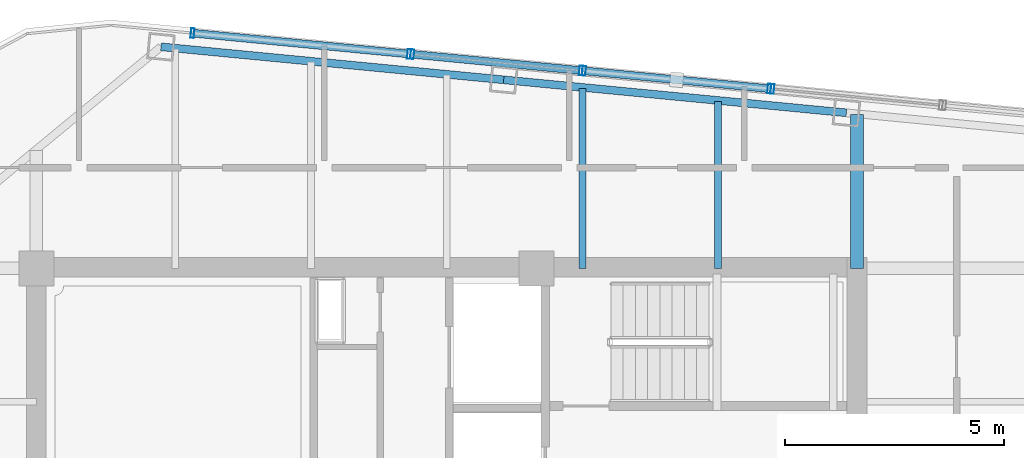
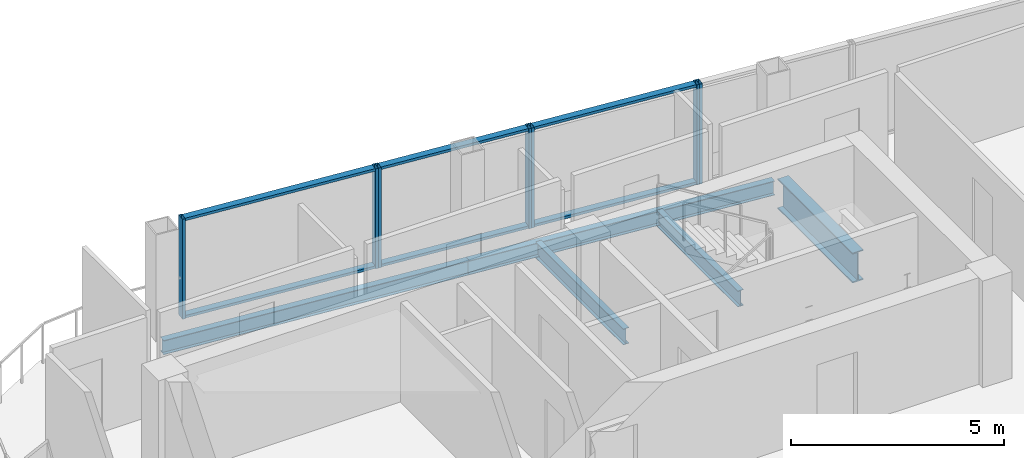
# One storey, part 14 of 22: 13 members, 5 beams, 4 elements without a shape of their own.
"""IFC4 building model written with IfcOpenShell, lengths in metres."""

from ifc_helpers import new_model, si_unit, direction, frame, origin, origin_2d, place, context, subcontext, project, spatial, hollow_rectangle, i_section, extrude, material, layer, layer_set, material_profile, profile_set, type_object, element, aggregate, save


model = new_model("IFC4")

# Units and contexts
model_context = context("Model", 3, precision=1e-05, world=origin(), true_north=direction((0.0, 1.0)))
body_context = subcontext(model_context, "Body", "Model", "MODEL_VIEW")
ifc_project = project(units=[si_unit("LENGTHUNIT", "METRE"), si_unit("AREAUNIT", "SQUARE_METRE"), si_unit("VOLUMEUNIT", "CUBIC_METRE"), si_unit("PLANEANGLEUNIT", "RADIAN"), si_unit("MASSUNIT", "GRAM", prefix="KILO")], contexts=[model_context])

# Site, building, storey
site_placement = place(None, origin())
site = spatial("IfcSite", under=ifc_project, at=site_placement, CompositionType="ELEMENT")
building_placement = place(site_placement, origin())
building = spatial("IfcBuilding", under=site, at=building_placement, Name="Qhalaya Broadcast Tower", CompositionType="ELEMENT")
storey_placement = place(building_placement, frame((0.0, 0.0, 252.0)))
storey = spatial("IfcBuildingStorey", under=building, at=storey_placement, Name="L74", CompositionType="ELEMENT", Elevation=252.0)

# Beams
ifc_material_1 = material(Name="Structural Steel ASTM A992 Grade 50", Category="steel")
ifc_material_profile_1 = material_profile(ifc_material_1, i_section(OverallWidth=0.154052734375, OverallDepth=0.458984375, WebThickness=0.009033203125, FlangeThickness=0.015380859375, at=origin_2d()), Name="W18X46")
ifc_profile_set_1 = profile_set([ifc_material_profile_1], Name="Structural Steel ASTM A992 Grade 50")
beam_type_1 = type_object("IfcBeamType", Name="Composite Floor Joist J04", PredefinedType="JOIST", material=ifc_profile_set_1)
beam_1_placement = place(storey_placement, frame((3.10009765625, 9.949951171875, -0.41943359375), z_axis=(0.0, 1.0, 0.0), x_axis=(-1.0, 0.0, 0.0)))
element("IfcBeam", 1, at=beam_1_placement, inside=storey, type_object=beam_type_1, Name="L74 J04 L74-JNN4-1", PredefinedType="JOIST", context=body_context, shape_type="SweptSolid", body=[
    extrude(i_section(OverallWidth=0.154052734375, OverallDepth=0.458984375, WebThickness=0.009033203125, FlangeThickness=0.015380859375, at=origin_2d()), origin(), (0.0, 0.0, 1.0), 4.11328125),
])
beam_2_placement = place(storey_placement, frame((6.199951171875, 9.949951171875, -0.41943359375), z_axis=(0.0, 1.0, 0.0), x_axis=(-1.0, 0.0, 0.0)))
element("IfcBeam", 2, at=beam_2_placement, inside=storey, type_object=beam_type_1, Name="L74 J04 L74-JNN5-1", PredefinedType="JOIST", context=body_context, shape_type="SweptSolid", body=[
    extrude(i_section(OverallWidth=0.154052734375, OverallDepth=0.458984375, WebThickness=0.009033203125, FlangeThickness=0.015380859375, at=origin_2d()), origin(), (0.0, 0.0, 1.0), 3.814697265625),
])

# Curtain wall, member
ifc_material_2 = material(Name="Solar-Control Low-E Triple Glazing", Category="glass")
ifc_layer_1 = layer(ifc_material_2, 0.219970703125, Name="Solar-Control Low-E Triple Glazing")
ifc_layer_set_1 = layer_set([ifc_layer_1], Name="Solar-Control Low-E Triple Glazing")
curtain_wall_type_1 = type_object("IfcCurtainWallType", Name="High-Altitude Upper-Shaft Triple Low-E Curtain Wall CW-04", PredefinedType="NOTDEFINED", material=ifc_layer_set_1)
curtain_wall_1_placement = place(storey_placement, origin())
curtain_wall_1 = element("IfcCurtainWall", 3, at=curtain_wall_1_placement, inside=storey, type_object=curtain_wall_type_1, Name="L74 Unitised Curtain Wall L74-CW-N2", PredefinedType="NOTDEFINED")
ifc_material_3 = material(Name="Anodised Aluminium 6063-T6", Category="aluminium")
ifc_material_profile_2 = material_profile(ifc_material_3, hollow_rectangle(XDim=0.074951171875, YDim=0.219970703125, WallThickness=0.00390625, at=origin_2d()), Name="ALU-MUL 75x220x4")
ifc_profile_set_2 = profile_set([ifc_material_profile_2], Name="Anodised Aluminium 6063-T6")
member_type_1 = type_object("IfcMemberType", Name="Unitised Curtain-Wall Mullion M01", PredefinedType="MULLION", material=ifc_profile_set_2)
member_1_placement = place(storey_placement, frame((7.443115234375, 14.046875, 0.0), z_axis=(0.0, 0.0, 1.0), x_axis=(-0.995396567507, 0.09584191878, 0.0)))
member_1 = element("IfcMember", 4, at=member_1_placement, type_object=member_type_1, Name="CW-04 mullion 2", PredefinedType="MULLION", context=body_context, shape_type="SweptSolid", body=[
    extrude(hollow_rectangle(XDim=0.074951171875, YDim=0.219970703125, WallThickness=0.00390625, at=origin_2d()), origin(), (0.0, 0.0, 1.0), 2.860107421875),
])
aggregate(curtain_wall_1, [member_1])

# Curtain wall, members
ifc_material_4 = material(Name="Fired Architectural Terracotta", Category="masonry")
ifc_layer_2 = layer(ifc_material_4, 0.219970703125, Name="Fired Architectural Terracotta")
ifc_layer_set_2 = layer_set([ifc_layer_2], Name="Fired Architectural Terracotta")
curtain_wall_type_2 = type_object("IfcCurtainWallType", Name="Block-Cap Unitised Terracotta Spandrel Wall CW-07", PredefinedType="NOTDEFINED", material=ifc_layer_set_2)
curtain_wall_2_placement = place(storey_placement, origin())
curtain_wall_2 = element("IfcCurtainWall", 5, at=curtain_wall_2_placement, inside=storey, type_object=curtain_wall_type_2, Name="L74 Unitised Curtain Wall L74-CW-N3", PredefinedType="NOTDEFINED")
member_2_placement = place(storey_placement, frame((7.368408203125, 14.05419921875, 0.0), z_axis=(0.0, 0.0, 1.0), x_axis=(-0.995397029971, 0.095837115594, 0.0)))
member_2 = element("IfcMember", 6, at=member_2_placement, type_object=member_type_1, Name="CW-07 mullion 1", PredefinedType="MULLION", context=body_context, shape_type="SweptSolid", body=[
    extrude(hollow_rectangle(XDim=0.074951171875, YDim=0.219970703125, WallThickness=0.00390625, at=origin_2d()), origin(), (0.0, 0.0, 1.0), 2.860107421875),
])
member_3_placement = place(storey_placement, frame((3.138916015625, 14.46142578125, 0.0), z_axis=(0.0, 0.0, 1.0), x_axis=(-0.995397029971, 0.095837115594, 0.0)))
member_3 = element("IfcMember", 7, at=member_3_placement, type_object=member_type_1, Name="CW-07 mullion 2", PredefinedType="MULLION", context=body_context, shape_type="SweptSolid", body=[
    extrude(hollow_rectangle(XDim=0.074951171875, YDim=0.219970703125, WallThickness=0.00390625, at=origin_2d()), origin(), (0.0, 0.0, 1.0), 2.860107421875),
])

curtain_wall_3_placement = place(storey_placement, origin())
curtain_wall_3 = element("IfcCurtainWall", 8, at=curtain_wall_3_placement, inside=storey, type_object=curtain_wall_type_1, Name="L74 Unitised Curtain Wall L74-CW-N4", PredefinedType="NOTDEFINED")
member_4_placement = place(storey_placement, frame((3.064453125, 14.468505859375, 0.0), z_axis=(0.0, 0.0, 1.0), x_axis=(-0.995394380747, 0.095864627352, 0.0)))
member_4 = element("IfcMember", 9, at=member_4_placement, type_object=member_type_1, Name="CW-04 mullion 1", PredefinedType="MULLION", context=body_context, shape_type="SweptSolid", body=[
    extrude(hollow_rectangle(XDim=0.074951171875, YDim=0.219970703125, WallThickness=0.00390625, at=origin_2d()), origin(), (0.0, 0.0, 1.0), 2.860107421875),
])
member_5_placement = place(storey_placement, frame((-0.785888671875, 14.83935546875, 0.0), z_axis=(0.0, 0.0, 1.0), x_axis=(-0.995394380747, 0.095864627352, 0.0)))
member_5 = element("IfcMember", 10, at=member_5_placement, type_object=member_type_1, Name="CW-04 mullion 2", PredefinedType="MULLION", context=body_context, shape_type="SweptSolid", body=[
    extrude(hollow_rectangle(XDim=0.074951171875, YDim=0.219970703125, WallThickness=0.00390625, at=origin_2d()), origin(), (0.0, 0.0, 1.0), 2.860107421875),
])

curtain_wall_4_placement = place(storey_placement, origin())
curtain_wall_4 = element("IfcCurtainWall", 11, at=curtain_wall_4_placement, inside=storey, type_object=curtain_wall_type_2, Name="L74 Unitised Curtain Wall L74-CW-N5", PredefinedType="NOTDEFINED")
member_6_placement = place(storey_placement, frame((-0.860595703125, 14.846435546875, 0.0), z_axis=(0.0, 0.0, 1.0), x_axis=(-0.995396854807, 0.095838934889, 0.0)))
member_6 = element("IfcMember", 12, at=member_6_placement, type_object=member_type_1, Name="CW-07 mullion 1", PredefinedType="MULLION", context=body_context, shape_type="SweptSolid", body=[
    extrude(hollow_rectangle(XDim=0.074951171875, YDim=0.219970703125, WallThickness=0.00390625, at=origin_2d()), origin(), (0.0, 0.0, 1.0), 2.860107421875),
])
member_7_placement = place(storey_placement, frame((-5.8076171875, 15.32275390625, 0.0), z_axis=(0.0, 0.0, 1.0), x_axis=(-0.995396854807, 0.095838934889, 0.0)))
member_7 = element("IfcMember", 13, at=member_7_placement, type_object=member_type_1, Name="CW-07 mullion 2", PredefinedType="MULLION", context=body_context, shape_type="SweptSolid", body=[
    extrude(hollow_rectangle(XDim=0.074951171875, YDim=0.219970703125, WallThickness=0.00390625, at=origin_2d()), origin(), (0.0, 0.0, 1.0), 2.860107421875),
])

# Member
ifc_material_profile_3 = material_profile(ifc_material_3, hollow_rectangle(XDim=0.074951171875, YDim=0.179931640625, WallThickness=0.00390625, at=origin_2d()), Name="ALU-TRN 75x180x4")
ifc_profile_set_3 = profile_set([ifc_material_profile_3], Name="Anodised Aluminium 6063-T6")
member_type_2 = type_object("IfcMemberType", Name="Unitised Curtain-Wall Transom T01", PredefinedType="USERDEFINED", material=ifc_profile_set_3)
member_8_placement = place(storey_placement, frame((7.3310546875, 14.0576171875, 0.03759765625), z_axis=(-0.995394228445, 0.095866208745, 0.0), x_axis=(0.0, 0.0, 1.0)))
member_8 = element("IfcMember", 14, at=member_8_placement, type_object=member_type_2, Name="CW-07 transom 1.1", ObjectType="TRANSOM", PredefinedType="USERDEFINED", context=body_context, shape_type="SweptSolid", body=[
    extrude(hollow_rectangle(XDim=0.074951171875, YDim=0.179931640625, WallThickness=0.00390625, at=origin_2d()), origin(), (0.0, 0.0, 1.0), 4.174072265625),
])

member_9_placement = place(storey_placement, frame((7.3310546875, 14.0576171875, 2.822509765625), z_axis=(-0.995394228445, 0.095866208745, 0.0), x_axis=(0.0, 0.0, 1.0)))
member_9 = element("IfcMember", 15, at=member_9_placement, type_object=member_type_2, Name="CW-07 transom 1.2", ObjectType="TRANSOM", PredefinedType="USERDEFINED", context=body_context, shape_type="SweptSolid", body=[
    extrude(hollow_rectangle(XDim=0.074951171875, YDim=0.179931640625, WallThickness=0.00390625, at=origin_2d()), origin(), (0.0, 0.0, 1.0), 4.174072265625),
])

aggregate(curtain_wall_2, [member_2, member_3, member_8, member_9])

member_10_placement = place(storey_placement, frame((3.027099609375, 14.47216796875, 0.03759765625), z_axis=(-0.995396874616, 0.09583872915, 0.0), x_axis=(0.0, 0.0, 1.0)))
member_10 = element("IfcMember", 16, at=member_10_placement, type_object=member_type_2, Name="CW-04 transom 1.1", ObjectType="TRANSOM", PredefinedType="USERDEFINED", context=body_context, shape_type="SweptSolid", body=[
    extrude(hollow_rectangle(XDim=0.074951171875, YDim=0.179931640625, WallThickness=0.00390625, at=origin_2d()), origin(), (0.0, 0.0, 1.0), 3.793212890625),
])

member_11_placement = place(storey_placement, frame((3.027099609375, 14.47216796875, 2.822509765625), z_axis=(-0.995396874616, 0.09583872915, 0.0), x_axis=(0.0, 0.0, 1.0)))
member_11 = element("IfcMember", 17, at=member_11_placement, type_object=member_type_2, Name="CW-04 transom 1.2", ObjectType="TRANSOM", PredefinedType="USERDEFINED", context=body_context, shape_type="SweptSolid", body=[
    extrude(hollow_rectangle(XDim=0.074951171875, YDim=0.179931640625, WallThickness=0.00390625, at=origin_2d()), origin(), (0.0, 0.0, 1.0), 3.793212890625),
])

aggregate(curtain_wall_3, [member_4, member_5, member_10, member_11])

member_12_placement = place(storey_placement, frame((-0.89794921875, 14.85009765625, 0.03759765625), z_axis=(-0.995399245855, 0.095814097875, 0.0), x_axis=(0.0, 0.0, 1.0)))
member_12 = element("IfcMember", 18, at=member_12_placement, type_object=member_type_2, Name="CW-07 transom 1.1", ObjectType="TRANSOM", PredefinedType="USERDEFINED", context=body_context, shape_type="SweptSolid", body=[
    extrude(hollow_rectangle(XDim=0.074951171875, YDim=0.179931640625, WallThickness=0.00390625, at=origin_2d()), origin(), (0.0, 0.0, 1.0), 4.894775390625),
])

member_13_placement = place(storey_placement, frame((-0.89794921875, 14.85009765625, 2.822509765625), z_axis=(-0.995399245855, 0.095814097875, 0.0), x_axis=(0.0, 0.0, 1.0)))
member_13 = element("IfcMember", 19, at=member_13_placement, type_object=member_type_2, Name="CW-07 transom 1.2", ObjectType="TRANSOM", PredefinedType="USERDEFINED", context=body_context, shape_type="SweptSolid", body=[
    extrude(hollow_rectangle(XDim=0.074951171875, YDim=0.179931640625, WallThickness=0.00390625, at=origin_2d()), origin(), (0.0, 0.0, 1.0), 4.894775390625),
])

aggregate(curtain_wall_4, [member_6, member_7, member_12, member_13])

# Beams
ifc_material_profile_4 = material_profile(ifc_material_1, i_section(OverallWidth=0.2919921875, OverallDepth=0.85888671875, WebThickness=0.01708984375, FlangeThickness=0.031005859375, at=origin_2d()), Name="W33X169")
ifc_profile_set_4 = profile_set([ifc_material_profile_4], Name="Structural Steel ASTM A992 Grade 50")
beam_type_2 = type_object("IfcBeamType", Name="Upper Block Primary Girder PG4", PredefinedType="USERDEFINED", material=ifc_profile_set_4)
beam_3_placement = place(storey_placement, frame((9.375, 9.949951171875, -0.619384765625), z_axis=(0.0, 1.0, 0.0), x_axis=(-1.0, 0.0, 0.0)))
element("IfcBeam", 20, at=beam_3_placement, inside=storey, type_object=beam_type_2, Name="L74 PG4 L74-PGXN2-1", ObjectType="GIRDER", PredefinedType="USERDEFINED", context=body_context, shape_type="SweptSolid", body=[
    extrude(i_section(OverallWidth=0.2919921875, OverallDepth=0.85888671875, WebThickness=0.01708984375, FlangeThickness=0.031005859375, at=origin_2d()), origin(), (0.0, 0.0, 1.0), 3.509033203125),
])
ifc_material_profile_5 = material_profile(ifc_material_1, i_section(OverallWidth=0.177978515625, OverallDepth=0.406005859375, WebThickness=0.0078125, FlangeThickness=0.0126953125, at=origin_2d()), Name="W16X40")
ifc_profile_set_5 = profile_set([ifc_material_profile_5], Name="Structural Steel ASTM A992 Grade 50")
beam_type_3 = type_object("IfcBeamType", Name="Upper Perimeter Spandrel Beam SP2", PredefinedType="SPANDREL", material=ifc_profile_set_5)
beam_4_placement = place(storey_placement, frame((9.132568359375, 13.50244140625, -0.39306640625), z_axis=(-0.995397308407, 0.095834223619, 0.0), x_axis=(-0.095834223619, -0.995397308407, 0.0)))
element("IfcBeam", 21, at=beam_4_placement, inside=storey, type_object=beam_type_3, Name="L74 SP2 L74-SPR-10", PredefinedType="SPANDREL", context=body_context, shape_type="SweptSolid", body=[
    extrude(i_section(OverallWidth=0.177978515625, OverallDepth=0.406005859375, WebThickness=0.0078125, FlangeThickness=0.0126953125, at=origin_2d()), origin(), (0.0, 0.0, 1.0), 7.86669921875),
])
beam_5_placement = place(storey_placement, frame((1.302001953125, 14.25634765625, -0.39306640625), z_axis=(-0.995394062251, 0.095867934346, 0.0), x_axis=(-0.095867934346, -0.995394062251, 0.0)))
element("IfcBeam", 22, at=beam_5_placement, inside=storey, type_object=beam_type_3, Name="L74 SP2 L74-SPR-11", PredefinedType="SPANDREL", context=body_context, shape_type="SweptSolid", body=[
    extrude(i_section(OverallWidth=0.177978515625, OverallDepth=0.406005859375, WebThickness=0.0078125, FlangeThickness=0.0126953125, at=origin_2d()), origin(), (0.0, 0.0, 1.0), 7.866455078125),
])

save(model, "model.ifc")
